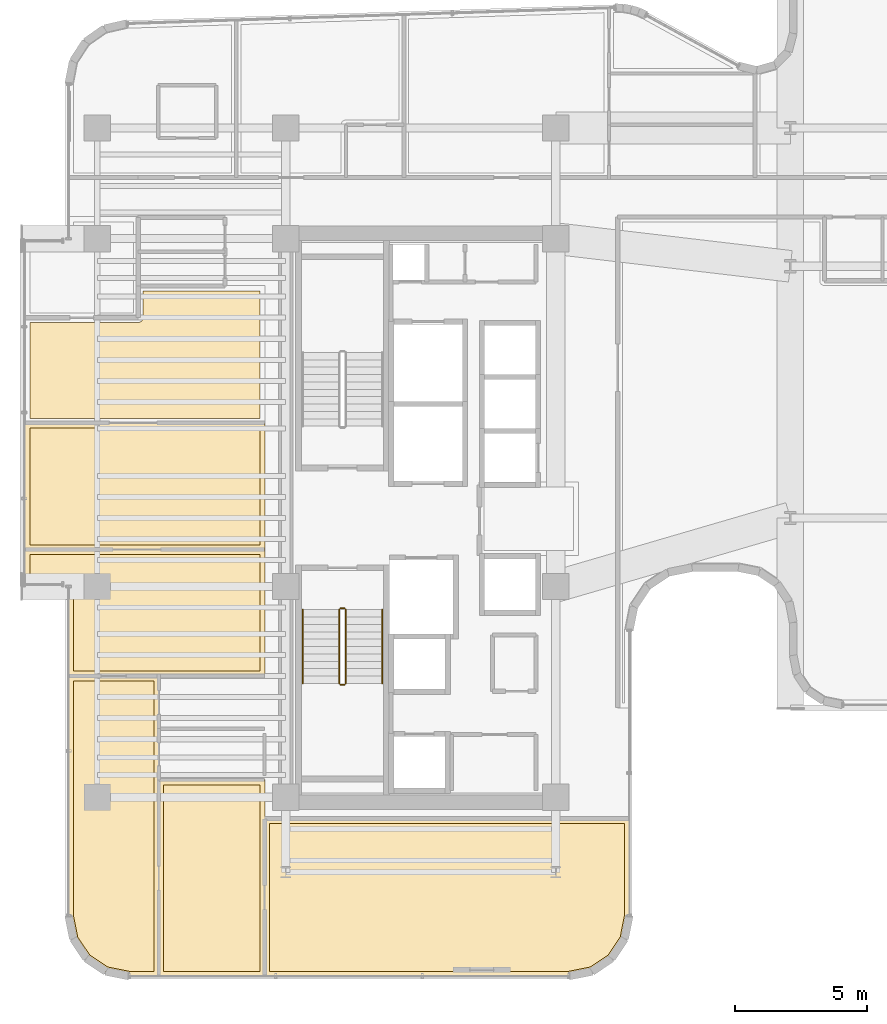
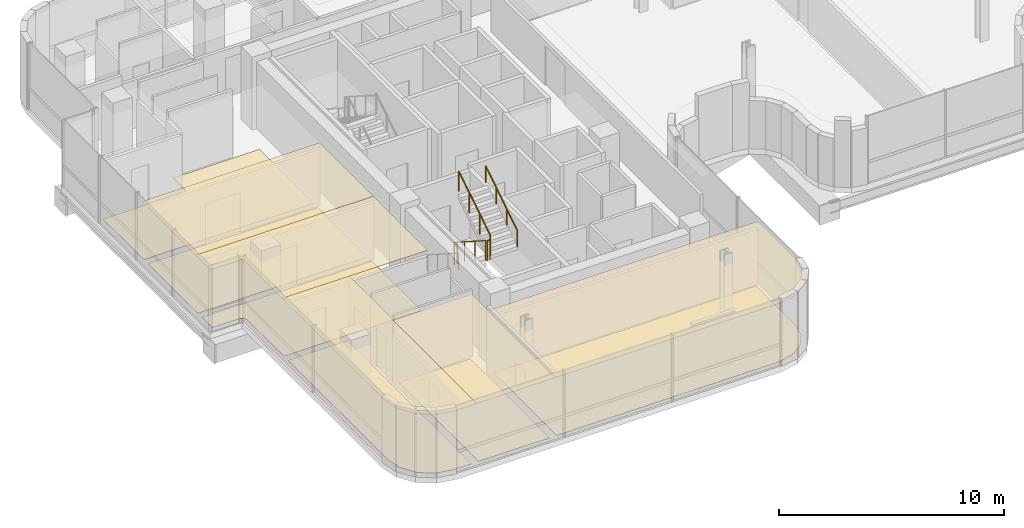
# One storey, part 32 of 38: 11 coverings, 6 railings.
"""IFC4 building model written with IfcOpenShell, lengths in metres."""

from ifc_helpers import new_model, si_unit, direction, frame, origin, origin_2d, place, context, subcontext, project, spatial, polyline, circle, outline, extrude, material, layer, layer_set, type_object, element, save


model = new_model("IFC4")

# Units and contexts
model_context = context("Model", 3, precision=1e-05, world=origin(), true_north=direction((0.0, 1.0)))
body_context = subcontext(model_context, "Body", "Model", "MODEL_VIEW")
ifc_project = project(units=[si_unit("LENGTHUNIT", "METRE"), si_unit("AREAUNIT", "SQUARE_METRE"), si_unit("VOLUMEUNIT", "CUBIC_METRE"), si_unit("PLANEANGLEUNIT", "RADIAN"), si_unit("MASSUNIT", "GRAM", prefix="KILO")], contexts=[model_context])

# Site, building, storey
site_placement = place(None, origin())
site = spatial("IfcSite", under=ifc_project, at=site_placement, CompositionType="ELEMENT")
building_placement = place(site_placement, origin())
building = spatial("IfcBuilding", under=site, at=building_placement, Name="Valdorenza Pilgrim Sanctuary Tower", CompositionType="ELEMENT")
storey_placement = place(building_placement, frame((0.0, 0.0, 180.5)))
storey = spatial("IfcBuildingStorey", under=building, at=storey_placement, Name="L46", CompositionType="ELEMENT", Elevation=180.5)

# Coverings
ifc_material_1 = material(Name="Micro-perforated acoustic mineral ceiling tile", Category="gypsum")
ifc_layer_1 = layer(ifc_material_1, 0.02490234375, Name="Micro-perforated acoustic mineral ceiling tile")
ifc_layer_set_1 = layer_set([ifc_layer_1], Name="Micro-perforated acoustic mineral ceiling tile")
covering_type_1 = type_object("IfcCoveringType", Name="COV-CLG-ACU", PredefinedType="CEILING", material=ifc_layer_set_1)
covering_1_placement = place(storey_placement, frame((0.0, 0.0, 3.330078125)))
element("IfcCovering", 1, at=covering_1_placement, inside=storey, type_object=covering_type_1, Name="L46 Sanctuary Apartment L46-CS1 Bedroom Acoustic Ceiling", PredefinedType="CEILING", context=body_context, shape_type="SweptSolid", body=[
    extrude(outline(polyline([(-27.482666015625, -9.949951171875), (-27.482421875, -9.948486328125), (-27.482421875, -9.947021484375), (-27.48193359375, -9.945556640625), (-27.4814453125, -9.9443359375), (-27.480712890625, -9.94287109375), (-27.47998046875, -9.941650390625), (-27.479248046875, -9.9404296875), (-27.478271484375, -9.939453125), (-27.47705078125, -9.9384765625), (-27.475830078125, -9.9375), (-27.474609375, -9.936767578125), (-27.473388671875, -9.93603515625), (-27.471923828125, -9.935546875), (-27.470458984375, -9.935302734375), (-27.468994140625, -9.93505859375), (-27.467529296875, -9.93505859375), (-23.449951171875, -9.93505859375), (-23.448486328125, -9.93505859375), (-23.447021484375, -9.935302734375), (-23.445556640625, -9.935546875), (-23.4443359375, -9.93603515625), (-23.44287109375, -9.936767578125), (-23.441650390625, -9.9375), (-23.4404296875, -9.9384765625), (-23.439453125, -9.939453125), (-23.4384765625, -9.9404296875), (-23.4375, -9.941650390625), (-23.436767578125, -9.94287109375), (-23.43603515625, -9.9443359375), (-23.435546875, -9.945556640625), (-23.435302734375, -9.947021484375), (-23.43505859375, -9.948486328125), (-23.43505859375, -9.949951171875), (-23.43505859375, -17.389892578125), (-23.43505859375, -17.3916015625), (-23.435302734375, -17.392822265625), (-23.435546875, -17.394287109375), (-23.43603515625, -17.395751953125), (-23.436767578125, -17.397216796875), (-23.4375, -17.398193359375), (-23.4384765625, -17.3994140625), (-23.439453125, -17.400634765625), (-23.4404296875, -17.401611328125), (-23.441650390625, -17.402587890625), (-23.44287109375, -17.4033203125), (-23.4443359375, -17.40380859375), (-23.445556640625, -17.404296875), (-23.447021484375, -17.40478515625), (-23.448486328125, -17.40478515625), (-23.449951171875, -17.405029296875), (-27.467529296875, -17.405029296875), (-27.468994140625, -17.40478515625), (-27.470458984375, -17.40478515625), (-27.471923828125, -17.404296875), (-27.473388671875, -17.40380859375), (-27.474609375, -17.4033203125), (-27.475830078125, -17.402587890625), (-27.47705078125, -17.401611328125), (-27.478271484375, -17.400634765625), (-27.479248046875, -17.3994140625), (-27.47998046875, -17.398193359375), (-27.480712890625, -17.397216796875), (-27.4814453125, -17.395751953125), (-27.48193359375, -17.394287109375), (-27.482421875, -17.392822265625), (-27.482421875, -17.3916015625), (-27.482666015625, -17.389892578125), (-27.482666015625, -9.949951171875)])), origin(), (0.0, 0.0, 1.0), 0.02490234375),
])
covering_2_placement = place(storey_placement, frame((0.0, 0.0, 3.330078125)))
element("IfcCovering", 2, at=covering_2_placement, inside=storey, type_object=covering_type_1, Name="L46 Sanctuary Apartment L46-CS1 Living Room Acoustic Ceiling", PredefinedType="CEILING", context=body_context, shape_type="SweptSolid", body=[
    extrude(outline(polyline([(-29.478515625, -17.228515625), (-29.479736328125, -17.22802734375), (-29.481201171875, -17.2275390625), (-29.482666015625, -17.226806640625), (-29.48388671875, -17.226318359375), (-30.22607421875, -16.730224609375), (-30.227294921875, -16.7294921875), (-30.228515625, -16.728515625), (-30.2294921875, -16.727294921875), (-30.230224609375, -16.72607421875), (-30.726318359375, -15.98388671875), (-30.726806640625, -15.982666015625), (-30.7275390625, -15.981201171875), (-30.72802734375, -15.979736328125), (-30.728515625, -15.978515625), (-30.90478515625, -15.092041015625), (-30.90478515625, -15.090576171875), (-30.905029296875, -15.089111328125), (-30.905029296875, -6.0), (-30.90478515625, -5.99853515625), (-30.90478515625, -5.9970703125), (-30.904296875, -5.99560546875), (-30.90380859375, -5.994384765625), (-30.9033203125, -5.992919921875), (-30.902587890625, -5.99169921875), (-30.901611328125, -5.990478515625), (-30.900634765625, -5.989501953125), (-30.8994140625, -5.98828125), (-30.898193359375, -5.987548828125), (-30.897216796875, -5.98681640625), (-30.895751953125, -5.986083984375), (-30.894287109375, -5.985595703125), (-30.892822265625, -5.9853515625), (-30.8916015625, -5.985107421875), (-30.889892578125, -5.985107421875), (-27.467529296875, -5.985107421875), (-27.466064453125, -5.985107421875), (-27.464599609375, -5.9853515625), (-27.463134765625, -5.985595703125), (-27.4619140625, -5.986083984375), (-27.46044921875, -5.98681640625), (-27.459228515625, -5.987548828125), (-27.4580078125, -5.98828125), (-27.45703125, -5.989501953125), (-27.4560546875, -5.990478515625), (-27.455078125, -5.99169921875), (-27.454345703125, -5.992919921875), (-27.45361328125, -5.994384765625), (-27.453125, -5.99560546875), (-27.452880859375, -5.9970703125), (-27.45263671875, -5.99853515625), (-27.45263671875, -6.0), (-27.45263671875, -9.947998046875), (-27.45263671875, -9.949462890625), (-27.452880859375, -9.950927734375), (-27.453369140625, -9.952392578125), (-27.453857421875, -9.953857421875), (-27.45458984375, -9.955322265625), (-27.45458984375, -9.95556640625), (-27.45458984375, -17.389892578125), (-27.45458984375, -17.3916015625), (-27.454833984375, -17.392822265625), (-27.455078125, -17.394287109375), (-27.455810546875, -17.395751953125), (-27.456298828125, -17.397216796875), (-27.45703125, -17.398193359375), (-27.4580078125, -17.3994140625), (-27.458984375, -17.400634765625), (-27.460205078125, -17.401611328125), (-27.461181640625, -17.402587890625), (-27.46240234375, -17.4033203125), (-27.4638671875, -17.40380859375), (-27.465087890625, -17.404296875), (-27.466796875, -17.40478515625), (-27.468017578125, -17.40478515625), (-27.469482421875, -17.405029296875), (-28.589111328125, -17.405029296875), (-28.590576171875, -17.40478515625), (-28.592041015625, -17.40478515625), (-29.478515625, -17.228515625)])), origin(), (0.0, 0.0, 1.0), 0.02490234375),
])
covering_3_placement = place(storey_placement, frame((0.0, 0.0, 3.330078125)))
element("IfcCovering", 3, at=covering_3_placement, inside=storey, type_object=covering_type_1, Name="L46 South Contemplation Salon L46 Acoustic Ceiling", PredefinedType="CEILING", context=body_context, shape_type="SweptSolid", body=[
    extrude(outline(polyline([(-27.469482421875, -6.012939453125), (-30.889892578125, -6.012939453125), (-30.8916015625, -6.012939453125), (-30.892822265625, -6.0126953125), (-30.894287109375, -6.012451171875), (-30.895751953125, -6.011962890625), (-30.897216796875, -6.01123046875), (-30.898193359375, -6.010498046875), (-30.8994140625, -6.009521484375), (-30.900634765625, -6.008544921875), (-30.901611328125, -6.007568359375), (-30.902587890625, -6.00634765625), (-30.9033203125, -6.005126953125), (-30.90380859375, -6.003662109375), (-30.904296875, -6.00244140625), (-30.90478515625, -6.0009765625), (-30.90478515625, -5.99951171875), (-30.905029296875, -5.998046875), (-30.905029296875, -2.600341796875), (-30.905517578125, -2.5908203125), (-30.90673828125, -2.58154296875), (-30.9091796875, -2.572509765625), (-30.912109375, -2.563720703125), (-30.916259765625, -2.55517578125), (-30.9208984375, -2.547119140625), (-30.926513671875, -2.539794921875), (-30.932861328125, -2.53271484375), (-30.939697265625, -2.526611328125), (-30.947265625, -2.52099609375), (-30.955078125, -2.51611328125), (-30.963623046875, -2.51220703125), (-30.972412109375, -2.509033203125), (-30.9814453125, -2.5068359375), (-30.99072265625, -2.505615234375), (-31.00048828125, -2.5048828125), (-32.5400390625, -2.5048828125), (-32.54150390625, -2.5048828125), (-32.54296875, -2.504638671875), (-32.54443359375, -2.50439453125), (-32.545654296875, -2.50390625), (-32.547119140625, -2.503173828125), (-32.54833984375, -2.50244140625), (-32.549560546875, -2.501708984375), (-32.550537109375, -2.50048828125), (-32.551513671875, -2.49951171875), (-32.552490234375, -2.498291015625), (-32.55322265625, -2.4970703125), (-32.553955078125, -2.49560546875), (-32.554443359375, -2.494384765625), (-32.5546875, -2.492919921875), (-32.554931640625, -2.491455078125), (-32.554931640625, -2.489990234375), (-32.554931640625, -1.199951171875), (-32.554931640625, -1.198486328125), (-32.5546875, -1.197021484375), (-32.554443359375, -1.195556640625), (-32.553955078125, -1.1943359375), (-32.55322265625, -1.19287109375), (-32.552490234375, -1.191650390625), (-32.551513671875, -1.1904296875), (-32.550537109375, -1.189453125), (-32.549560546875, -1.1884765625), (-32.54833984375, -1.1875), (-32.547119140625, -1.186767578125), (-32.545654296875, -1.18603515625), (-32.54443359375, -1.185546875), (-32.54296875, -1.185302734375), (-32.54150390625, -1.18505859375), (-32.5400390625, -1.18505859375), (-23.449951171875, -1.18505859375), (-23.448486328125, -1.18505859375), (-23.447021484375, -1.185302734375), (-23.445556640625, -1.185546875), (-23.4443359375, -1.18603515625), (-23.44287109375, -1.186767578125), (-23.441650390625, -1.1875), (-23.4404296875, -1.1884765625), (-23.439453125, -1.189453125), (-23.4384765625, -1.1904296875), (-23.4375, -1.191650390625), (-23.436767578125, -1.19287109375), (-23.43603515625, -1.1943359375), (-23.435546875, -1.195556640625), (-23.435302734375, -1.197021484375), (-23.43505859375, -1.198486328125), (-23.43505859375, -1.199951171875), (-23.43505859375, -5.998046875), (-23.43505859375, -5.99951171875), (-23.435302734375, -6.0009765625), (-23.435546875, -6.00244140625), (-23.43603515625, -6.003662109375), (-23.436767578125, -6.005126953125), (-23.4375, -6.00634765625), (-23.4384765625, -6.007568359375), (-23.439453125, -6.008544921875), (-23.4404296875, -6.009521484375), (-23.441650390625, -6.010498046875), (-23.44287109375, -6.01123046875), (-23.4443359375, -6.011962890625), (-23.445556640625, -6.012451171875), (-23.447021484375, -6.0126953125), (-23.448486328125, -6.012939453125), (-23.449951171875, -6.012939453125), (-27.4638671875, -6.012939453125), (-27.464599609375, -6.01318359375), (-27.466064453125, -6.01318359375), (-27.467529296875, -6.01318359375), (-27.468994140625, -6.01318359375), (-27.469482421875, -6.012939453125)])), origin(), (0.0, 0.0, 1.0), 0.02490234375),
])
covering_4_placement = place(storey_placement, frame((0.0, 0.0, 3.330078125)))
element("IfcCovering", 4, at=covering_4_placement, inside=storey, type_object=covering_type_1, Name="L46 Pilgrim Reading Lounge L46 Acoustic Ceiling", PredefinedType="CEILING", context=body_context, shape_type="SweptSolid", body=[
    extrude(outline(polyline([(-23.43505859375, -1.197998046875), (-23.43505859375, -1.199462890625), (-23.435302734375, -1.200927734375), (-23.435546875, -1.202392578125), (-23.43603515625, -1.20361328125), (-23.436767578125, -1.205078125), (-23.4375, -1.206298828125), (-23.4384765625, -1.20751953125), (-23.439453125, -1.20849609375), (-23.4404296875, -1.209716796875), (-23.441650390625, -1.21044921875), (-23.44287109375, -1.211181640625), (-23.4443359375, -1.2119140625), (-23.445556640625, -1.21240234375), (-23.447021484375, -1.212646484375), (-23.448486328125, -1.212890625), (-23.449951171875, -1.212890625), (-32.5400390625, -1.212890625), (-32.54150390625, -1.212890625), (-32.54296875, -1.212646484375), (-32.54443359375, -1.21240234375), (-32.545654296875, -1.2119140625), (-32.547119140625, -1.211181640625), (-32.54833984375, -1.21044921875), (-32.549560546875, -1.209716796875), (-32.550537109375, -1.20849609375), (-32.551513671875, -1.20751953125), (-32.552490234375, -1.206298828125), (-32.55322265625, -1.205078125), (-32.553955078125, -1.20361328125), (-32.554443359375, -1.202392578125), (-32.5546875, -1.200927734375), (-32.554931640625, -1.199462890625), (-32.554931640625, -1.197998046875), (-32.554931640625, 3.60009765625), (-32.554931640625, 3.6015625), (-32.5546875, 3.602783203125), (-32.554443359375, 3.6044921875), (-32.553955078125, 3.605712890625), (-32.55322265625, 3.607177734375), (-32.552490234375, 3.6083984375), (-32.551513671875, 3.609619140625), (-32.550537109375, 3.610595703125), (-32.549560546875, 3.611572265625), (-32.54833984375, 3.612548828125), (-32.547119140625, 3.61328125), (-32.545654296875, 3.614013671875), (-32.54443359375, 3.614501953125), (-32.54296875, 3.61474609375), (-32.54150390625, 3.614990234375), (-32.5400390625, 3.614990234375), (-23.449951171875, 3.614990234375), (-23.448486328125, 3.614990234375), (-23.447021484375, 3.61474609375), (-23.445556640625, 3.614501953125), (-23.4443359375, 3.614013671875), (-23.44287109375, 3.61328125), (-23.441650390625, 3.612548828125), (-23.4404296875, 3.611572265625), (-23.439453125, 3.610595703125), (-23.4384765625, 3.609619140625), (-23.4375, 3.6083984375), (-23.436767578125, 3.607177734375), (-23.43603515625, 3.605712890625), (-23.435546875, 3.6044921875), (-23.435302734375, 3.602783203125), (-23.43505859375, 3.6015625), (-23.43505859375, 3.60009765625), (-23.43505859375, -1.197998046875)])), origin(), (0.0, 0.0, 1.0), 0.02490234375),
])
covering_5_placement = place(storey_placement, frame((0.0, 0.0, 3.330078125)))
element("IfcCovering", 5, at=covering_5_placement, inside=storey, type_object=covering_type_1, Name="L46 South Panoramic Viewing Salon L46 Acoustic Ceiling", PredefinedType="CEILING", context=body_context, shape_type="SweptSolid", body=[
    extrude(outline(polyline([(-9.610107421875, -11.405029296875), (-9.6083984375, -11.405029296875), (-9.607177734375, -11.4052734375), (-9.605712890625, -11.405517578125), (-9.604248046875, -11.406005859375), (-9.602783203125, -11.40673828125), (-9.601806640625, -11.407470703125), (-9.6005859375, -11.408447265625), (-9.599365234375, -11.409423828125), (-9.598388671875, -11.410400390625), (-9.597412109375, -11.41162109375), (-9.5966796875, -11.412841796875), (-9.59619140625, -11.414306640625), (-9.595703125, -11.41552734375), (-9.59521484375, -11.4169921875), (-9.59521484375, -11.41845703125), (-9.594970703125, -11.419921875), (-9.594970703125, -15.089111328125), (-9.59521484375, -15.090576171875), (-9.59521484375, -15.092041015625), (-9.771484375, -15.978515625), (-9.77197265625, -15.979736328125), (-9.7724609375, -15.981201171875), (-9.773193359375, -15.982666015625), (-9.773681640625, -15.98388671875), (-10.269775390625, -16.72607421875), (-10.2705078125, -16.727294921875), (-10.271484375, -16.728515625), (-10.272705078125, -16.7294921875), (-10.27392578125, -16.730224609375), (-11.01611328125, -17.226318359375), (-11.017333984375, -17.226806640625), (-11.018798828125, -17.2275390625), (-11.020263671875, -17.22802734375), (-11.021484375, -17.228515625), (-11.907958984375, -17.40478515625), (-11.909423828125, -17.40478515625), (-11.910888671875, -17.405029296875), (-23.447998046875, -17.405029296875), (-23.449462890625, -17.40478515625), (-23.450927734375, -17.40478515625), (-23.452392578125, -17.404296875), (-23.45361328125, -17.40380859375), (-23.455078125, -17.4033203125), (-23.456298828125, -17.402587890625), (-23.45751953125, -17.401611328125), (-23.45849609375, -17.400634765625), (-23.459716796875, -17.3994140625), (-23.46044921875, -17.398193359375), (-23.461181640625, -17.397216796875), (-23.4619140625, -17.395751953125), (-23.46240234375, -17.394287109375), (-23.462646484375, -17.392822265625), (-23.462890625, -17.3916015625), (-23.462890625, -17.389892578125), (-23.462890625, -11.419921875), (-23.462890625, -11.41845703125), (-23.462646484375, -11.4169921875), (-23.46240234375, -11.41552734375), (-23.4619140625, -11.414306640625), (-23.461181640625, -11.412841796875), (-23.46044921875, -11.41162109375), (-23.459716796875, -11.410400390625), (-23.45849609375, -11.409423828125), (-23.45751953125, -11.408447265625), (-23.456298828125, -11.407470703125), (-23.455078125, -11.40673828125), (-23.45361328125, -11.406005859375), (-23.452392578125, -11.405517578125), (-23.450927734375, -11.4052734375), (-23.449462890625, -11.405029296875), (-23.447998046875, -11.405029296875), (-9.610107421875, -11.405029296875)])), origin(), (0.0, 0.0, 1.0), 0.02490234375),
])
ifc_material_2 = material(Name="Engineered European oak timber flooring", Category="wood")
ifc_layer_2 = layer(ifc_material_2, 0.02197265625, Name="Engineered European oak timber flooring")
ifc_layer_set_2 = layer_set([ifc_layer_2], Name="Engineered European oak timber flooring")
covering_type_2 = type_object("IfcCoveringType", Name="COV-FLR-OAK", PredefinedType="FLOORING", material=ifc_layer_set_2)
covering_6_placement = place(storey_placement, origin())
element("IfcCovering", 6, at=covering_6_placement, inside=storey, type_object=covering_type_2, Name="L46 Sanctuary Apartment L46-CS1 Bedroom Flooring", PredefinedType="FLOORING", context=body_context, shape_type="SweptSolid", body=[
    extrude(outline(polyline([(-27.28759765625, -10.1298828125), (-23.6298828125, -10.1298828125), (-23.6298828125, -17.2099609375), (-27.28759765625, -17.2099609375), (-27.28759765625, -10.1298828125)])), origin(), (0.0, 0.0, 1.0), 0.02490234375),
])
covering_7_placement = place(storey_placement, origin())
element("IfcCovering", 7, at=covering_7_placement, inside=storey, type_object=covering_type_2, Name="L46 Sanctuary Apartment L46-CS1 Living Room Flooring", PredefinedType="FLOORING", context=body_context, shape_type="SweptSolid", body=[
    extrude(outline(polyline([(-29.4052734375, -17.044189453125), (-30.087890625, -16.587890625), (-30.544189453125, -15.9052734375), (-30.7099609375, -15.0712890625), (-30.7099609375, -6.179931640625), (-27.647705078125, -6.179931640625), (-27.647705078125, -9.923095703125), (-27.647705078125, -9.923095703125), (-27.647705078125, -9.92333984375), (-27.6494140625, -9.94091796875), (-27.6494140625, -9.941162109375), (-27.649658203125, -9.949951171875), (-27.649658203125, -17.2099609375), (-28.5712890625, -17.2099609375), (-29.4052734375, -17.044189453125)])), origin(), (0.0, 0.0, 1.0), 0.02490234375),
])
ifc_material_3 = material(Name="Honed travertine stone flooring", Category="masonry")
ifc_layer_3 = layer(ifc_material_3, 0.030029296875, Name="Honed travertine stone flooring")
ifc_layer_set_3 = layer_set([ifc_layer_3], Name="Honed travertine stone flooring")
covering_type_3 = type_object("IfcCoveringType", Name="COV-FLR-TRV", PredefinedType="FLOORING", material=ifc_layer_set_3)
covering_8_placement = place(storey_placement, origin())
element("IfcCovering", 8, at=covering_8_placement, inside=storey, type_object=covering_type_3, Name="L46 South Contemplation Salon L46 Flooring", PredefinedType="FLOORING", context=body_context, shape_type="SweptSolid", body=[
    extrude(outline(polyline([(-27.46728515625, -5.818115234375), (-27.467529296875, -5.818115234375), (-30.7099609375, -5.818115234375), (-30.7099609375, -2.60009765625), (-30.710205078125, -2.59130859375), (-30.710693359375, -2.580322265625), (-30.71240234375, -2.562744140625), (-30.714111328125, -2.552001953125), (-30.717529296875, -2.534912109375), (-30.72021484375, -2.5244140625), (-30.725341796875, -2.50732421875), (-30.72900390625, -2.497314453125), (-30.735595703125, -2.48095703125), (-30.740234375, -2.47119140625), (-30.74853515625, -2.45556640625), (-30.754150390625, -2.4462890625), (-30.763916015625, -2.431640625), (-30.7705078125, -2.423095703125), (-30.781494140625, -2.4091796875), (-30.788818359375, -2.4013671875), (-30.80126953125, -2.388916015625), (-30.809326171875, -2.381591796875), (-30.822998046875, -2.370361328125), (-30.831787109375, -2.364013671875), (-30.84619140625, -2.35400390625), (-30.855712890625, -2.3486328125), (-30.87109375, -2.34033203125), (-30.880859375, -2.335693359375), (-30.897216796875, -2.328857421875), (-30.907470703125, -2.3251953125), (-30.92431640625, -2.320068359375), (-30.934814453125, -2.3173828125), (-30.9521484375, -2.314208984375), (-30.962890625, -2.3125), (-30.98046875, -2.310791015625), (-30.9912109375, -2.310302734375), (-31.0, -2.31005859375), (-32.360107421875, -2.31005859375), (-32.360107421875, -1.3798828125), (-23.6298828125, -1.3798828125), (-23.6298828125, -5.818115234375), (-27.465576171875, -5.818115234375), (-27.466552734375, -5.818115234375), (-27.46728515625, -5.818115234375)])), origin(), (0.0, 0.0, 1.0), 0.02490234375),
])
covering_9_placement = place(storey_placement, origin())
element("IfcCovering", 9, at=covering_9_placement, inside=storey, type_object=covering_type_3, Name="L46 Pilgrim Reading Lounge L46 Flooring", PredefinedType="FLOORING", context=body_context, shape_type="SweptSolid", body=[
    extrude(outline(polyline([(-23.6298828125, -1.01806640625), (-32.360107421875, -1.01806640625), (-32.360107421875, 3.419921875), (-23.6298828125, 3.419921875), (-23.6298828125, -1.01806640625)])), origin(), (0.0, 0.0, 1.0), 0.02490234375),
])
covering_10_placement = place(storey_placement, origin())
element("IfcCovering", 10, at=covering_10_placement, inside=storey, type_object=covering_type_3, Name="L46 North Contemplation Salon L46 Flooring", PredefinedType="FLOORING", context=body_context, shape_type="SweptSolid", body=[
    extrude(outline(polyline([(-23.6298828125, 8.619873046875), (-23.6298828125, 3.781982421875), (-32.360107421875, 3.781982421875), (-32.360107421875, 7.41796875), (-28.25, 7.41796875), (-28.2412109375, 7.418212890625), (-28.240966796875, 7.418212890625), (-28.223388671875, 7.419921875), (-28.22314453125, 7.419921875), (-28.205810546875, 7.42333984375), (-28.205810546875, 7.423583984375), (-28.188720703125, 7.4287109375), (-28.188720703125, 7.4287109375), (-28.17236328125, 7.435302734375), (-28.172119140625, 7.435546875), (-28.156494140625, 7.44384765625), (-28.156494140625, 7.44384765625), (-28.1416015625, 7.453857421875), (-28.1416015625, 7.453857421875), (-28.1279296875, 7.465087890625), (-28.127685546875, 7.465087890625), (-28.115234375, 7.477783203125), (-28.114990234375, 7.477783203125), (-28.10400390625, 7.491455078125), (-28.103759765625, 7.49169921875), (-28.093994140625, 7.50634765625), (-28.09375, 7.506591796875), (-28.08544921875, 7.522216796875), (-28.08544921875, 7.522216796875), (-28.07861328125, 7.53857421875), (-28.07861328125, 7.538818359375), (-28.073486328125, 7.5556640625), (-28.073486328125, 7.555908203125), (-28.070068359375, 7.5732421875), (-28.070068359375, 7.573486328125), (-28.068115234375, 7.591064453125), (-28.068115234375, 7.59130859375), (-28.068115234375, 7.60009765625), (-28.068115234375, 8.617919921875), (-24.949951171875, 8.617919921875), (-24.94970703125, 8.617919921875), (-23.6298828125, 8.619873046875)])), origin(), (0.0, 0.0, 1.0), 0.02490234375),
])
covering_11_placement = place(storey_placement, origin())
element("IfcCovering", 11, at=covering_11_placement, inside=storey, type_object=covering_type_3, Name="L46 South Panoramic Viewing Salon L46 Flooring", PredefinedType="FLOORING", context=body_context, shape_type="SweptSolid", body=[
    extrude(outline(polyline([(-9.7900390625, -11.60009765625), (-9.7900390625, -15.0712890625), (-9.955810546875, -15.9052734375), (-10.412109375, -16.587890625), (-11.0947265625, -17.044189453125), (-11.9287109375, -17.2099609375), (-23.26806640625, -17.2099609375), (-23.26806640625, -11.60009765625), (-9.7900390625, -11.60009765625)])), origin(), (0.0, 0.0, 1.0), 0.02490234375),
])

# Railings
ifc_material_4 = material(Name="Stainless steel Grade 316", Category="steel")
railing_type_1 = type_object("IfcRailingType", Name="RLG-GRD-1120", PredefinedType="GUARDRAIL", material=ifc_material_4)
railing_1_placement = place(storey_placement, frame((-20.6201171875, -3.47998046875, 0.179443359375)))
element("IfcRailing", 12, at=railing_1_placement, inside=storey, type_object=railing_type_1, Name="L46 ST-A2 stair guard 1", PredefinedType="GUARDRAIL", context=body_context, shape_type="SweptSolid", body=[
    extrude(circle(Radius=0.02392578125, at=origin_2d()), frame((0.0, 0.0, 1.076171875), z_axis=(0.0, -0.841776520102, 0.539826166654), x_axis=(1.0, 0.0, 0.0)), (0.0, 0.0, 1.0), 3.326416015625),
    extrude(circle(Radius=0.02099609375, at=origin_2d()), origin(), (0.0, 0.0, 1.0), 1.052001953125),
    extrude(circle(Radius=0.02099609375, at=origin_2d()), frame((0.0, -0.933349609375, 0.5986328125)), (0.0, 0.0, 1.0), 1.052001953125),
    extrude(circle(Radius=0.02099609375, at=origin_2d()), frame((0.0, -1.86669921875, 1.197021484375)), (0.0, 0.0, 1.0), 1.052001953125),
    extrude(circle(Radius=0.02099609375, at=origin_2d()), frame((0.0, -2.800048828125, 1.795654296875)), (0.0, 0.0, 1.0), 1.052001953125),
])
railing_2_placement = place(storey_placement, frame((-20.570068359375, -6.330078125, 1.97509765625)))
element("IfcRailing", 13, at=railing_2_placement, inside=storey, type_object=railing_type_1, Name="L46 ST-A2 stair guard 2", PredefinedType="GUARDRAIL", context=body_context, shape_type="SweptSolid", body=[
    extrude(circle(Radius=0.02392578125, at=origin_2d()), frame((0.0, 0.0, 1.076171875), z_axis=(1.0, 0.0, 0.0), x_axis=(0.0, 1.0, 0.0)), (0.0, 0.0, 1.0), 0.150146484375),
    extrude(circle(Radius=0.02099609375, at=origin_2d()), origin(), (0.0, 0.0, 1.0), 1.052001953125),
    extrude(circle(Radius=0.02099609375, at=origin_2d()), frame((0.150146484375, 0.0, 0.0)), (0.0, 0.0, 1.0), 1.052001953125),
])
railing_3_placement = place(storey_placement, frame((-20.3701171875, -6.280029296875, 2.154541015625)))
element("IfcRailing", 14, at=railing_3_placement, inside=storey, type_object=railing_type_1, Name="L46 ST-A2 stair guard 3", PredefinedType="GUARDRAIL", context=body_context, shape_type="SweptSolid", body=[
    extrude(circle(Radius=0.02392578125, at=origin_2d()), frame((0.0, 0.0, 1.076171875), z_axis=(0.0, 0.841809871826, 0.539774156196), x_axis=(-1.0, 0.0, 0.0)), (0.0, 0.0, 1.0), 3.326171875),
    extrude(circle(Radius=0.02099609375, at=origin_2d()), origin(), (0.0, 0.0, 1.0), 1.052001953125),
    extrude(circle(Radius=0.02099609375, at=origin_2d()), frame((0.0, 0.933349609375, 0.598388671875)), (0.0, 0.0, 1.0), 1.052001953125),
    extrude(circle(Radius=0.02099609375, at=origin_2d()), frame((0.0, 1.86669921875, 1.197021484375)), (0.0, 0.0, 1.0), 1.052001953125),
    extrude(circle(Radius=0.02099609375, at=origin_2d()), frame((0.0, 2.800048828125, 1.79541015625)), (0.0, 0.0, 1.0), 1.052001953125),
])
railing_4_placement = place(storey_placement, frame((-20.570068359375, -3.429931640625, 0.0)))
element("IfcRailing", 15, at=railing_4_placement, inside=storey, type_object=railing_type_1, Name="L46 ST-A2 stair guard 4", PredefinedType="GUARDRAIL", context=body_context, shape_type="SweptSolid", body=[
    extrude(circle(Radius=0.02392578125, at=origin_2d()), frame((0.0, 0.0, 1.076171875), z_axis=(1.0, 0.0, 0.0), x_axis=(0.0, 1.0, 0.0)), (0.0, 0.0, 1.0), 0.150146484375),
    extrude(circle(Radius=0.02099609375, at=origin_2d()), origin(), (0.0, 0.0, 1.0), 1.052001953125),
    extrude(circle(Radius=0.02099609375, at=origin_2d()), frame((0.150146484375, 0.0, 0.0)), (0.0, 0.0, 1.0), 1.052001953125),
])
ifc_material_5 = material(Name="Brushed stainless steel Grade 316", Category="steel")
railing_type_2 = type_object("IfcRailingType", Name="RLG-HND-920", PredefinedType="HANDRAIL", material=ifc_material_5)
railing_5_placement = place(storey_placement, frame((-22.0, -3.47998046875, 0.179443359375)))
element("IfcRailing", 16, at=railing_5_placement, inside=storey, type_object=railing_type_2, Name="L46 ST-A2 stair handrail 1", PredefinedType="HANDRAIL", context=body_context, shape_type="SweptSolid", body=[
    extrude(circle(Radius=0.02392578125, at=origin_2d()), frame((0.0, 0.0, 0.8759765625), z_axis=(0.0, -0.841776520102, 0.539826166654), x_axis=(1.0, 0.0, 0.0)), (0.0, 0.0, 1.0), 3.326416015625),
    extrude(circle(Radius=0.02099609375, at=origin_2d()), origin(), (0.0, 0.0, 1.0), 0.851806640625),
    extrude(circle(Radius=0.02099609375, at=origin_2d()), frame((0.0, -0.933349609375, 0.5986328125)), (0.0, 0.0, 1.0), 0.851806640625),
    extrude(circle(Radius=0.02099609375, at=origin_2d()), frame((0.0, -1.86669921875, 1.197021484375)), (0.0, 0.0, 1.0), 0.851806640625),
    extrude(circle(Radius=0.02099609375, at=origin_2d()), frame((0.0, -2.800048828125, 1.795654296875)), (0.0, 0.0, 1.0), 0.851806640625),
])
railing_6_placement = place(storey_placement, frame((-18.989990234375, -6.280029296875, 2.154541015625)))
element("IfcRailing", 17, at=railing_6_placement, inside=storey, type_object=railing_type_2, Name="L46 ST-A2 stair handrail 2", PredefinedType="HANDRAIL", context=body_context, shape_type="SweptSolid", body=[
    extrude(circle(Radius=0.02392578125, at=origin_2d()), frame((0.0, 0.0, 0.8759765625), z_axis=(0.0, 0.841809871826, 0.539774156196), x_axis=(-1.0, 0.0, 0.0)), (0.0, 0.0, 1.0), 3.326171875),
    extrude(circle(Radius=0.02099609375, at=origin_2d()), origin(), (0.0, 0.0, 1.0), 0.851806640625),
    extrude(circle(Radius=0.02099609375, at=origin_2d()), frame((0.0, 0.933349609375, 0.598388671875)), (0.0, 0.0, 1.0), 0.851806640625),
    extrude(circle(Radius=0.02099609375, at=origin_2d()), frame((0.0, 1.86669921875, 1.197021484375)), (0.0, 0.0, 1.0), 0.851806640625),
    extrude(circle(Radius=0.02099609375, at=origin_2d()), frame((0.0, 2.800048828125, 1.79541015625)), (0.0, 0.0, 1.0), 0.851806640625),
])

save(model, "model.ifc")
